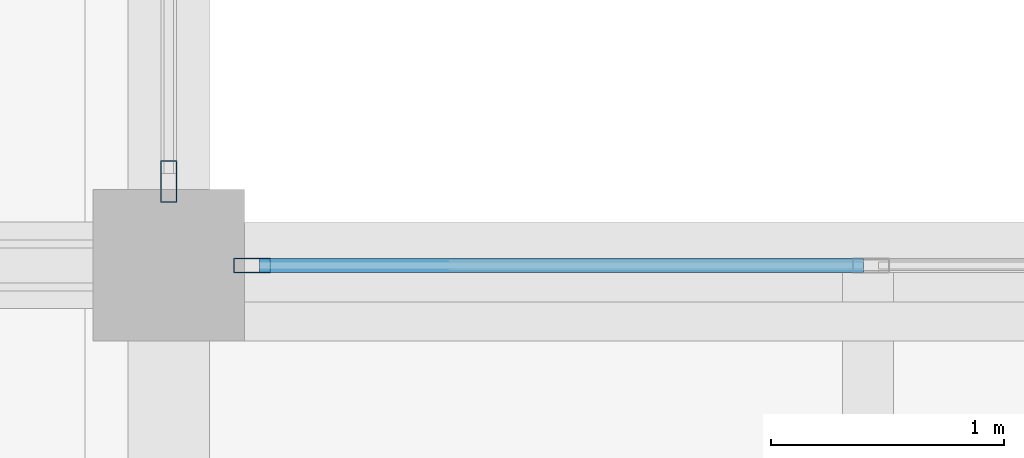
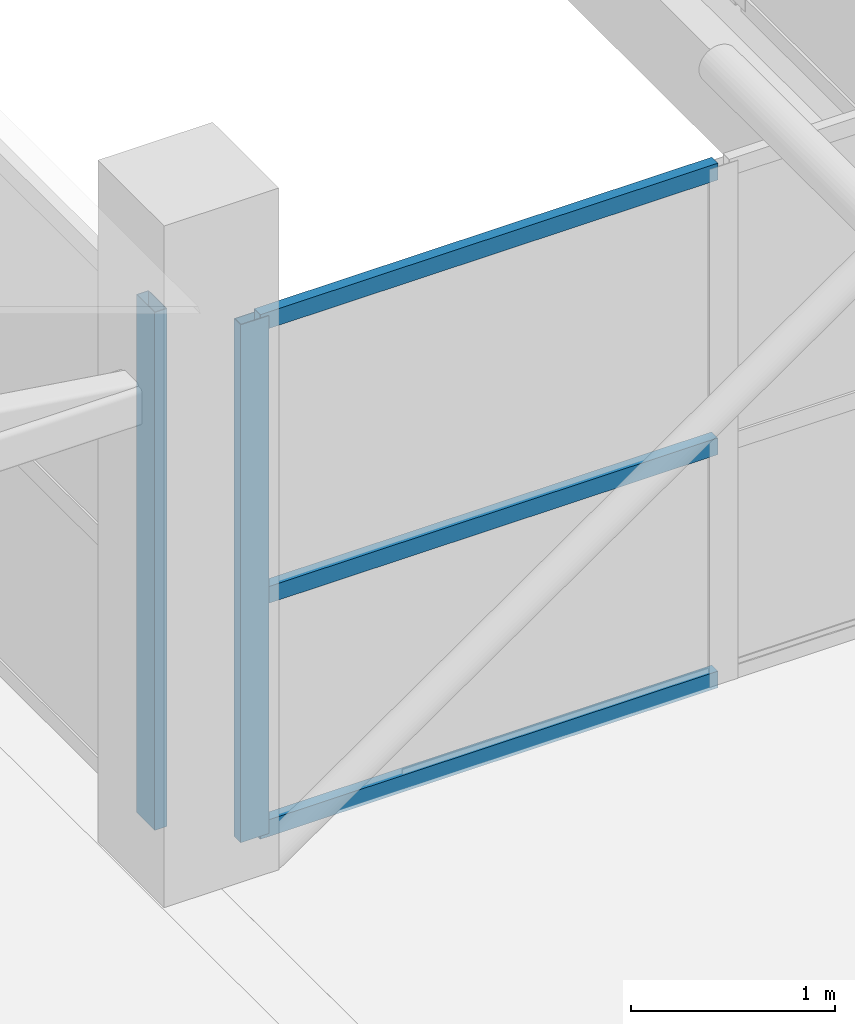
# One storey, part 11 of 66: 5 members, 2 elements without a shape of their own.
"""IFC4 building model written with IfcOpenShell, lengths in metres."""

from ifc_helpers import new_model, si_unit, direction, frame, origin, origin_2d, place, context, subcontext, project, spatial, hollow_rectangle, extrude, material, layer, layer_set, material_profile, profile_set, type_object, element, aggregate, save


model = new_model("IFC4")

# Units and contexts
model_context = context("Model", 3, precision=1e-05, world=origin(), true_north=direction((0.0, 1.0)))
body_context = subcontext(model_context, "Body", "Model", "MODEL_VIEW")
ifc_project = project(units=[si_unit("LENGTHUNIT", "METRE"), si_unit("AREAUNIT", "SQUARE_METRE"), si_unit("VOLUMEUNIT", "CUBIC_METRE"), si_unit("PLANEANGLEUNIT", "RADIAN"), si_unit("MASSUNIT", "GRAM", prefix="KILO")], contexts=[model_context])

# Site, building, storey
site_placement = place(None, origin())
site = spatial("IfcSite", under=ifc_project, at=site_placement, CompositionType="ELEMENT")
building_placement = place(site_placement, origin())
building = spatial("IfcBuilding", under=site, at=building_placement, Name="Sillaruma Civic Art Gallery", CompositionType="ELEMENT")
storey_placement = place(building_placement, frame((0.0, 0.0, 62.219970703125)))
storey = spatial("IfcBuildingStorey", under=building, at=storey_placement, Name="L12", CompositionType="ELEMENT", Elevation=62.219970703125)

# Curtain wall, member
ifc_material = material(Name="Thermally Broken Extruded Aluminium 6063-T6", Category="aluminium")
ifc_layer_1 = layer(ifc_material, 0.159912109375, Name="Thermally Broken Extruded Aluminium 6063-T6")
ifc_layer_set_1 = layer_set([ifc_layer_1], Name="Thermally Broken Extruded Aluminium 6063-T6")
curtain_wall_type_1 = type_object("IfcCurtainWallType", Name="CW-UNI-104", PredefinedType="NOTDEFINED", material=ifc_layer_set_1)
curtain_wall_1_placement = place(storey_placement, origin())
curtain_wall_1 = element("IfcCurtainWall", 1, at=curtain_wall_1_placement, inside=storey, type_object=curtain_wall_type_1, Name="Unitised Curtain Wall CW-104 (CW-BRG-S-L12-N)", PredefinedType="NOTDEFINED")
ifc_material_profile_1 = material_profile(ifc_material, hollow_rectangle(XDim=0.06494140625, YDim=0.159912109375, WallThickness=0.00390625, at=origin_2d()), Name="CWM65x160")
ifc_profile_set_1 = profile_set([ifc_material_profile_1], Name="Thermally Broken Extruded Aluminium 6063-T6")
member_type_1 = type_object("IfcMemberType", Name="MEM-MUL-CWM65x160", PredefinedType="MULLION", material=ifc_profile_set_1)
member_1_placement = place(storey_placement, frame((92.357421875, 49.5, 0.0), z_axis=(0.0, 0.0, 1.0), x_axis=(0.0, 1.0, 0.0)))
member_1 = element("IfcMember", 2, at=member_1_placement, type_object=member_type_1, Name="CW-104 mullion 1", PredefinedType="MULLION", context=body_context, shape_type="SweptSolid", body=[
    extrude(hollow_rectangle(XDim=0.06494140625, YDim=0.159912109375, WallThickness=0.00390625, at=origin_2d()), origin(), (0.0, 0.0, 1.0), 3.10009765625),
])

ifc_layer_2 = layer(ifc_material, 0.179931640625, Name="Thermally Broken Extruded Aluminium 6063-T6")
ifc_layer_set_2 = layer_set([ifc_layer_2], Name="Thermally Broken Extruded Aluminium 6063-T6")
curtain_wall_type_2 = type_object("IfcCurtainWallType", Name="CW-UNI-92", PredefinedType="NOTDEFINED", material=ifc_layer_set_2)
curtain_wall_2_placement = place(storey_placement, origin())
curtain_wall_2 = element("IfcCurtainWall", 3, at=curtain_wall_2_placement, inside=storey, type_object=curtain_wall_type_2, Name="Unitised Curtain Wall CW-92 (CW-L12-WBE-4)", PredefinedType="NOTDEFINED")
ifc_material_profile_2 = material_profile(ifc_material, hollow_rectangle(XDim=0.070068359375, YDim=0.179931640625, WallThickness=0.00390625, at=origin_2d()), Name="CWM70x180")
ifc_profile_set_2 = profile_set([ifc_material_profile_2], Name="Thermally Broken Extruded Aluminium 6063-T6")
member_type_2 = type_object("IfcMemberType", Name="MEM-MUL-CWM70x180", PredefinedType="MULLION", material=ifc_profile_set_2)
member_2_placement = place(storey_placement, frame((92.0, 49.860107421875, 0.0), z_axis=(0.0, 0.0, 1.0), x_axis=(-1.0, 0.0, 0.0)))
member_2 = element("IfcMember", 4, at=member_2_placement, type_object=member_type_2, Name="CW-92 mullion 1", PredefinedType="MULLION", context=body_context, shape_type="SweptSolid", body=[
    extrude(hollow_rectangle(XDim=0.070068359375, YDim=0.179931640625, WallThickness=0.00390625, at=origin_2d()), origin(), (0.0, 0.0, 1.0), 3.10009765625),
])
aggregate(curtain_wall_2, [member_2])

# Member
ifc_material_profile_3 = material_profile(ifc_material, hollow_rectangle(XDim=0.06005859375, YDim=0.10009765625, WallThickness=0.003173828125, at=origin_2d()), Name="CWT60x100")
ifc_profile_set_3 = profile_set([ifc_material_profile_3], Name="Thermally Broken Extruded Aluminium 6063-T6")
member_type_3 = type_object("IfcMemberType", Name="MEM-TRN-CWT60x100", PredefinedType="USERDEFINED", material=ifc_profile_set_3)
member_3_placement = place(storey_placement, frame((92.389892578125, 49.5, 0.030029296875), z_axis=(1.0, 0.0, 0.0), x_axis=(0.0, 1.0, 0.0)))
member_3 = element("IfcMember", 5, at=member_3_placement, type_object=member_type_3, Name="CW-104 transom 1.1", ObjectType="TRANSOM", PredefinedType="USERDEFINED", context=body_context, shape_type="SweptSolid", body=[
    extrude(hollow_rectangle(XDim=0.06005859375, YDim=0.10009765625, WallThickness=0.003173828125, at=origin_2d()), origin(), (0.0, 0.0, 1.0), 2.590087890625),
])

member_4_placement = place(storey_placement, frame((92.389892578125, 49.5, 1.426025390625), z_axis=(1.0, 0.0, 0.0), x_axis=(0.0, 1.0, 0.0)))
member_4 = element("IfcMember", 6, at=member_4_placement, type_object=member_type_3, Name="CW-104 transom 1.2", ObjectType="TRANSOM", PredefinedType="USERDEFINED", context=body_context, shape_type="SweptSolid", body=[
    extrude(hollow_rectangle(XDim=0.06005859375, YDim=0.10009765625, WallThickness=0.003173828125, at=origin_2d()), origin(), (0.0, 0.0, 1.0), 2.590087890625),
])

member_5_placement = place(storey_placement, frame((92.389892578125, 49.5, 3.070068359375), z_axis=(1.0, 0.0, 0.0), x_axis=(0.0, 1.0, 0.0)))
member_5 = element("IfcMember", 7, at=member_5_placement, type_object=member_type_3, Name="CW-104 transom 1.3", ObjectType="TRANSOM", PredefinedType="USERDEFINED", context=body_context, shape_type="SweptSolid", body=[
    extrude(hollow_rectangle(XDim=0.06005859375, YDim=0.10009765625, WallThickness=0.003173828125, at=origin_2d()), origin(), (0.0, 0.0, 1.0), 2.590087890625),
])

aggregate(curtain_wall_1, [member_1, member_3, member_4, member_5])

save(model, "model.ifc")
